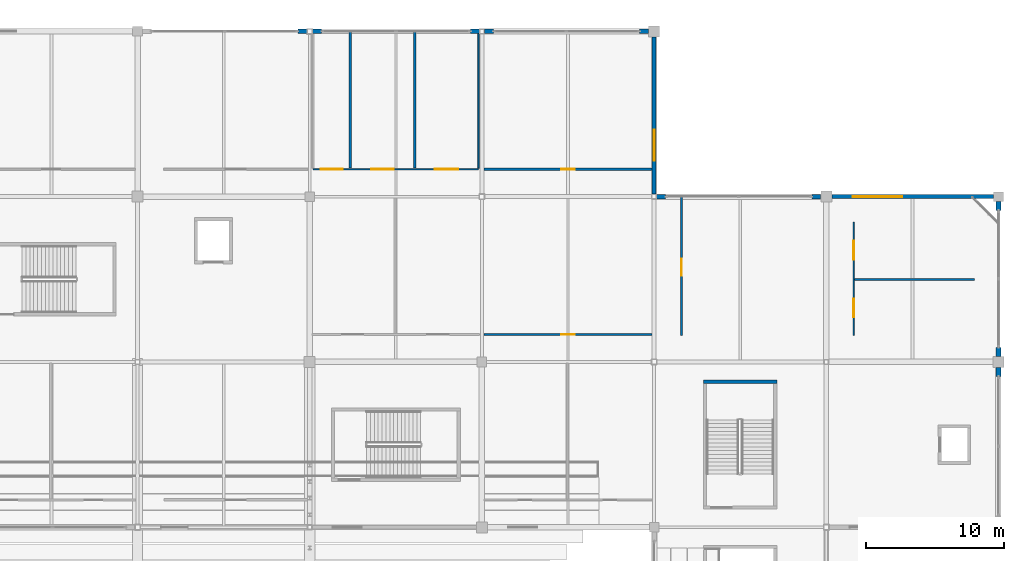
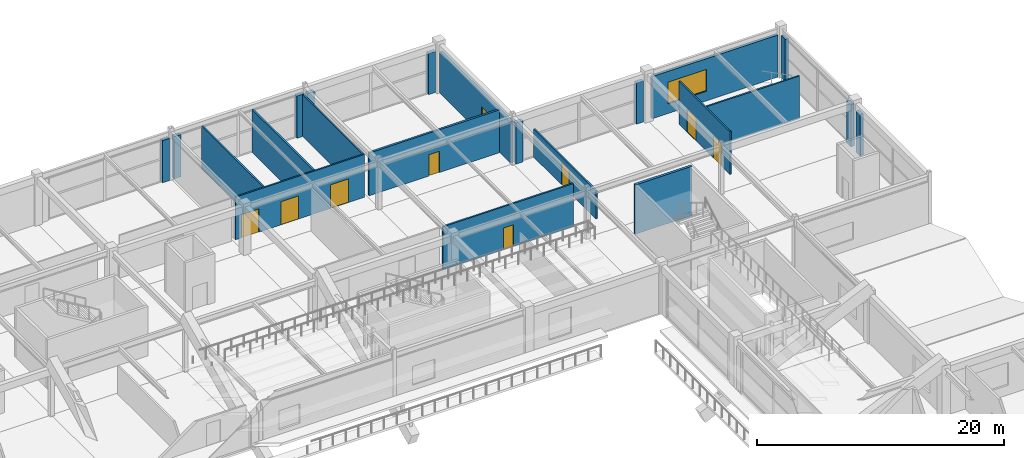
# One storey, part 99 of 128: 22 walls, 8 doors, 2 windows, 10 openings.
"""IFC4 building model written with IfcOpenShell, lengths in metres."""

from ifc_helpers import new_model, si_unit, direction, frame, frame_2d, origin, place, context, subcontext, project, spatial, rectangle, extrude, material, layer, layer_set, type_object, element, fill, save


model = new_model("IFC4")

# Units and contexts
model_context = context("Model", 3, precision=1e-05, world=origin(), true_north=direction((0.0, 1.0)))
body_context = subcontext(model_context, "Body", "Model", "MODEL_VIEW")
ifc_project = project(units=[si_unit("LENGTHUNIT", "METRE"), si_unit("AREAUNIT", "SQUARE_METRE"), si_unit("VOLUMEUNIT", "CUBIC_METRE"), si_unit("PLANEANGLEUNIT", "RADIAN"), si_unit("MASSUNIT", "GRAM", prefix="KILO")], contexts=[model_context])

# Site, building, storey
site_placement = place(None, origin())
site = spatial("IfcSite", under=ifc_project, at=site_placement, CompositionType="ELEMENT")
building_placement = place(site_placement, origin())
building = spatial("IfcBuilding", under=site, at=building_placement, Name="Kazenohara Klinker Stadium", CompositionType="ELEMENT")
storey_placement = place(building_placement, frame((0.0, 0.0, 15.300048828125)))
storey = spatial("IfcBuildingStorey", under=building, at=storey_placement, Name="L03", CompositionType="ELEMENT", Elevation=15.300048828125)

# Wall
ifc_material_1 = material(Name="Concrete C40/50", Category="concrete")
ifc_layer_1 = layer(ifc_material_1, 0.22998046875)
ifc_layer_set_1 = layer_set([ifc_layer_1], Name="Concrete C40/50")
wall_type_1 = type_object("IfcWallType", Name="WAL-CORE-230", PredefinedType="SHEAR", material=ifc_layer_set_1)
wall_1_placement = place(storey_placement, frame((178.590087890625, 142.56494140625, 0.0), z_axis=(0.0, 0.0, 1.0), x_axis=(1.0, 0.0, 0.0)))
element("IfcWall", 1, at=wall_1_placement, inside=storey, type_object=wall_type_1, Name="Stairwell shear wall ST12 L03 North", PredefinedType="SHEAR", context=body_context, shape_type="SweptSolid", body=[
    extrude(rectangle(XDim=5.31982421875, YDim=0.22998046875, at=frame_2d((2.659912109375, 0.0))), origin(), (0.0, 0.0, 1.0), 4.85986328125),
])

# Wall, opening, window
ifc_material_2 = material(Name="Clinker brick masonry", Category="masonry")
ifc_layer_2 = layer(ifc_material_2, 0.280029296875)
ifc_layer_set_2 = layer_set([ifc_layer_2], Name="Clinker brick masonry")
wall_type_2 = type_object("IfcWallType", Name="WAL-EXT-CB280", PredefinedType="SOLIDWALL", material=ifc_layer_set_2)
wall_2_placement = place(storey_placement, frame((175.0, 156.178955078125, 0.0), z_axis=(0.0, 0.0, 1.0), x_axis=(0.0, 1.0, 0.0)))
wall_2 = element("IfcWall", 2, at=wall_2_placement, inside=storey, type_object=wall_type_2, Name="Clinker brick cavity wall EW06 L03 Y14-13", PredefinedType="SOLIDWALL", context=body_context, shape_type="SweptSolid", body=[
    extrude(rectangle(XDim=11.4169921875, YDim=0.280029296875, at=frame_2d((5.70849609375, 0.0))), origin(), (0.0, 0.0, 1.0), 4.06005859375),
])
opening_1_placement = place(wall_2_placement, frame((2.44091796875, 0.0, 0.949951171875)))
opening_1 = element("IfcOpeningElement", 3, at=opening_1_placement, cuts=wall_2, Name="Opening W21", PredefinedType="OPENING", context=body_context, shape_type="SweptSolid", body=[
    extrude(rectangle(XDim=2.25, YDim=1.800048828125, at=frame_2d((1.125, 0.89990234375))), frame((0.0, 0.14990234375, 0.0), z_axis=(0.0, -1.0, 0.0), x_axis=(1.0, 0.0, 0.0)), (0.0, 0.0, 1.0), 0.300048828125),
])
ifc_material_3 = material(Name="Dark bronze aluminium frame and triple glazing", Category="aluminium")
window_type_1 = type_object("IfcWindowType", Name="WIN-AS-21", PartitioningType="SINGLE_PANEL", PredefinedType="WINDOW", material=ifc_material_3)
window_1_placement = place(opening_1_placement, origin())
window_1 = element("IfcWindow", 4, at=window_1_placement, inside=storey, type_object=window_type_1, Name="Horizontal-mullion ladder window W21 L03 Y14-13", OverallHeight=1.800048828125, OverallWidth=2.25, PartitioningType="SINGLE_PANEL", PredefinedType="WINDOW", context=body_context, shape_type="SweptSolid", body=[
    extrude(rectangle(XDim=2.25, YDim=1.800048828125, at=frame_2d((1.125, 0.89990234375))), frame((0.0, 0.030029296875, 0.0), z_axis=(0.0, -1.0, 0.0), x_axis=(1.0, 0.0, 0.0)), (0.0, 0.0, 1.0), 0.06005859375),
])
fill(opening_1, window_1)

wall_3_placement = place(storey_placement, frame((187.904052734375, 156.0, 0.0), z_axis=(0.0, 0.0, 1.0), x_axis=(1.0, 0.0, 0.0)))
wall_3 = element("IfcWall", 5, at=wall_3_placement, inside=storey, type_object=wall_type_2, Name="Clinker brick cavity wall EW06 L03 X15-13", PredefinedType="SOLIDWALL", context=body_context, shape_type="SweptSolid", body=[
    extrude(rectangle(XDim=11.741943359375, YDim=0.280029296875, at=frame_2d((5.87109375, 0.0))), origin(), (0.0, 0.0, 1.0), 4.159912109375),
])
opening_2_placement = place(wall_3_placement, frame((1.5, 0.0, 0.949951171875)))
opening_2 = element("IfcOpeningElement", 6, at=opening_2_placement, cuts=wall_3, Name="Opening W36", PredefinedType="OPENING", context=body_context, shape_type="SweptSolid", body=[
    extrude(rectangle(XDim=3.60009765625, YDim=2.14990234375, at=frame_2d((1.800048828125, 1.074951171875))), frame((0.0, 0.14990234375, 0.0), z_axis=(0.0, -1.0, 0.0), x_axis=(1.0, 0.0, 0.0)), (0.0, 0.0, 1.0), 0.300048828125),
])
window_type_2 = type_object("IfcWindowType", Name="WIN-AS-36", PartitioningType="SINGLE_PANEL", PredefinedType="WINDOW", material=ifc_material_3)
window_2_placement = place(opening_2_placement, origin())
window_2 = element("IfcWindow", 7, at=window_2_placement, inside=storey, type_object=window_type_2, Name="Horizontal-mullion ladder window W36 L03 X15-13", OverallHeight=2.14990234375, OverallWidth=3.60009765625, PartitioningType="SINGLE_PANEL", PredefinedType="WINDOW", context=body_context, shape_type="SweptSolid", body=[
    extrude(rectangle(XDim=3.60009765625, YDim=2.14990234375, at=frame_2d((1.800048828125, 1.074951171875))), frame((0.0, 0.030029296875, 0.0), z_axis=(0.0, -1.0, 0.0), x_axis=(1.0, 0.0, 0.0)), (0.0, 0.0, 1.0), 0.06005859375),
])
fill(opening_2, window_2)

# Walls
ifc_layer_3 = layer(ifc_material_2, 0.340087890625)
ifc_layer_set_3 = layer_set([ifc_layer_3], Name="Clinker brick masonry")
wall_type_3 = type_object("IfcWallType", Name="WAL-EXT-CB340", PredefinedType="SOLIDWALL", material=ifc_layer_set_3)
wall_4_placement = place(storey_placement, frame((149.14599609375, 168.0, 0.0), z_axis=(0.0, 0.0, 1.0), x_axis=(1.0, 0.0, 0.0)))
element("IfcWall", 8, at=wall_4_placement, inside=storey, type_object=wall_type_3, Name="Clinker brick curtain-wall jamb pier L03 X11-14 B", PredefinedType="SOLIDWALL", context=body_context, shape_type="SweptSolid", body=[
    extrude(rectangle(XDim=0.64990234375, YDim=0.340087890625, at=frame_2d((0.324951171875, 0.0))), origin(), (0.0, 0.0, 1.0), 4.159912109375),
])
wall_5_placement = place(storey_placement, frame((150.2041015625, 168.0, 0.0), z_axis=(0.0, 0.0, 1.0), x_axis=(1.0, 0.0, 0.0)))
element("IfcWall", 9, at=wall_5_placement, inside=storey, type_object=wall_type_3, Name="Clinker brick curtain-wall jamb pier L03 X12-14 A", PredefinedType="SOLIDWALL", context=body_context, shape_type="SweptSolid", body=[
    extrude(rectangle(XDim=0.64990234375, YDim=0.340087890625, at=frame_2d((0.324951171875, 0.0))), origin(), (0.0, 0.0, 1.0), 4.171875),
])
wall_6_placement = place(storey_placement, frame((161.6708984375, 168.0, 0.0), z_axis=(0.0, 0.0, 1.0), x_axis=(1.0, 0.0, 0.0)))
element("IfcWall", 10, at=wall_6_placement, inside=storey, type_object=wall_type_3, Name="Clinker brick curtain-wall jamb pier L03 X12-14 B", PredefinedType="SOLIDWALL", context=body_context, shape_type="SweptSolid", body=[
    extrude(rectangle(XDim=0.650146484375, YDim=0.340087890625, at=frame_2d((0.3251953125, 0.0))), origin(), (0.0, 0.0, 1.0), 4.171875),
])
wall_7_placement = place(storey_placement, frame((162.678955078125, 168.0, 0.0), z_axis=(0.0, 0.0, 1.0), x_axis=(1.0, 0.0, 0.0)))
element("IfcWall", 11, at=wall_7_placement, inside=storey, type_object=wall_type_3, Name="Clinker brick curtain-wall jamb pier L03 X13-14 A", PredefinedType="SOLIDWALL", context=body_context, shape_type="SweptSolid", body=[
    extrude(rectangle(XDim=0.650146484375, YDim=0.340087890625, at=frame_2d((0.3251953125, 0.0))), origin(), (0.0, 0.0, 1.0), 4.06005859375),
])
wall_8_placement = place(storey_placement, frame((173.946044921875, 168.0, 0.0), z_axis=(0.0, 0.0, 1.0), x_axis=(1.0, 0.0, 0.0)))
element("IfcWall", 12, at=wall_8_placement, inside=storey, type_object=wall_type_3, Name="Clinker brick curtain-wall jamb pier L03 X13-14 B", PredefinedType="SOLIDWALL", context=body_context, shape_type="SweptSolid", body=[
    extrude(rectangle(XDim=0.64990234375, YDim=0.340087890625, at=frame_2d((0.324951171875, 0.0))), origin(), (0.0, 0.0, 1.0), 4.06005859375),
])
wall_9_placement = place(storey_placement, frame((175.178955078125, 156.0, 0.0), z_axis=(0.0, 0.0, 1.0), x_axis=(1.0, 0.0, 0.0)))
element("IfcWall", 13, at=wall_9_placement, inside=storey, type_object=wall_type_3, Name="Clinker brick curtain-wall jamb pier L03 X14-13 A", PredefinedType="SOLIDWALL", context=body_context, shape_type="SweptSolid", body=[
    extrude(rectangle(XDim=0.650146484375, YDim=0.340087890625, at=frame_2d((0.3251953125, 0.0))), origin(), (0.0, 0.0, 1.0), 4.06005859375),
])
for number, where, z_axis, x_axis, name in (
    (14, (186.446044921875, 156.0, 0.0), (0.0, 0.0, 1.0), (1.0, 0.0, 0.0), "Clinker brick curtain-wall jamb pier L03 X14-13 B"),
    (15, (200.0, 142.946044921875, 0.0), (0.0, 0.0, 1.0), (0.0, 1.0, 0.0), "Clinker brick curtain-wall jamb pier L03 Y16-11 B"),
):
    element("IfcWall", number, at=place(storey_placement, frame(where, z_axis=z_axis, x_axis=x_axis)), inside=storey, type_object=wall_type_3, Name=name, PredefinedType="SOLIDWALL", context=body_context, shape_type="SweptSolid", body=[
        extrude(rectangle(XDim=0.64990234375, YDim=0.340087890625, at=frame_2d((0.324951171875, 0.0))), origin(), (0.0, 0.0, 1.0), 4.06005859375),
    ])
for number, where, z_axis, x_axis, name in (
    (16, (200.0, 144.404052734375, 0.0), (0.0, 0.0, 1.0), (0.0, 1.0, 0.0), "Clinker brick curtain-wall jamb pier L03 Y16-12 A"),
    (17, (200.0, 154.99609375, 0.0), (0.0, 0.0, 1.0), (0.0, 1.0, 0.0), "Clinker brick curtain-wall jamb pier L03 Y16-12 B"),
):
    element("IfcWall", number, at=place(storey_placement, frame(where, z_axis=z_axis, x_axis=x_axis)), inside=storey, type_object=wall_type_3, Name=name, PredefinedType="SOLIDWALL", context=body_context, shape_type="SweptSolid", body=[
        extrude(rectangle(XDim=0.64990234375, YDim=0.340087890625, at=frame_2d((0.324951171875, 0.0))), origin(), (0.0, 0.0, 1.0), 4.159912109375),
    ])
ifc_material_4 = material(Name="Fire-rated gypsum board on acoustic studs", Category="gypsum")
ifc_layer_4 = layer(ifc_material_4, 0.1201171875)
ifc_layer_set_4 = layer_set([ifc_layer_4], Name="Fire-rated gypsum board on acoustic studs")
wall_type_4 = type_object("IfcWallType", Name="WAL-INT-P120", PredefinedType="PARTITIONING", material=ifc_layer_set_4)
wall_10_placement = place(storey_placement, frame((162.260009765625, 158.06494140625, 0.0), z_axis=(0.0, 0.0, 1.0), x_axis=(0.0, 1.0, 0.0)))
element("IfcWall", 18, at=wall_10_placement, inside=storey, type_object=wall_type_4, Name="Interior partition wall PT02 SPC-L03-12-13-1-2", PredefinedType="PARTITIONING", context=body_context, shape_type="SweptSolid", body=[
    extrude(rectangle(XDim=9.762939453125, YDim=0.1201171875, at=frame_2d((4.88134765625, 0.0))), origin(), (0.0, 0.0, 1.0), 4.1318359375),
])

# Wall, openings, doors
ifc_layer_5 = layer(ifc_material_4, 0.139892578125)
ifc_layer_set_5 = layer_set([ifc_layer_5], Name="Fire-rated gypsum board on acoustic studs")
wall_type_5 = type_object("IfcWallType", Name="WAL-INT-P140", PredefinedType="PARTITIONING", material=ifc_layer_set_5)
wall_11_placement = place(storey_placement, frame((150.239990234375, 157.989990234375, 0.0), z_axis=(0.0, 0.0, 1.0), x_axis=(1.0, 0.0, 0.0)))
wall_11 = element("IfcWall", 19, at=wall_11_placement, inside=storey, type_object=wall_type_5, Name="Interior partition wall PT03 SPC-L03-12-13-1-3", PredefinedType="PARTITIONING", context=body_context, shape_type="SweptSolid", body=[
    extrude(rectangle(XDim=12.02001953125, YDim=0.139892578125, at=frame_2d((6.010009765625, 0.0))), origin(), (0.0, 0.0, 1.0), 4.219970703125),
])
opening_3_placement = place(wall_11_placement, frame((0.560302734375, 0.0, 0.0)))
opening_3 = element("IfcOpeningElement", 20, at=opening_3_placement, cuts=wall_11, Name="Opening ID23", PredefinedType="OPENING", context=body_context, shape_type="SweptSolid", body=[
    extrude(rectangle(XDim=1.60009765625, YDim=2.300048828125, at=frame_2d((0.800048828125, 1.14990234375))), frame((0.0, 0.080078125, 0.0), z_axis=(0.0, -1.0, 0.0), x_axis=(1.0, 0.0, 0.0)), (0.0, 0.0, 1.0), 0.159912109375),
])
opening_4_placement = place(wall_11_placement, frame((4.22021484375, 0.0, 0.0)))
opening_4 = element("IfcOpeningElement", 21, at=opening_4_placement, cuts=wall_11, Name="Opening ID24", PredefinedType="OPENING", context=body_context, shape_type="SweptSolid", body=[
    extrude(rectangle(XDim=1.64990234375, YDim=2.280029296875, at=frame_2d((0.824951171875, 1.14013671875))), frame((0.0, 0.080078125, 0.0), z_axis=(0.0, -1.0, 0.0), x_axis=(1.0, 0.0, 0.0)), (0.0, 0.0, 1.0), 0.159912109375),
])
opening_5_placement = place(wall_11_placement, frame((8.84521484375, 0.0, 0.0)))
opening_5 = element("IfcOpeningElement", 22, at=opening_5_placement, cuts=wall_11, Name="Opening ID25", PredefinedType="OPENING", context=body_context, shape_type="SweptSolid", body=[
    extrude(rectangle(XDim=1.699951171875, YDim=2.320068359375, at=frame_2d((0.85009765625, 1.16015625))), frame((0.0, 0.080078125, 0.0), z_axis=(0.0, -1.0, 0.0), x_axis=(1.0, 0.0, 0.0)), (0.0, 0.0, 1.0), 0.159912109375),
])
ifc_material_5 = material(Name="Painted steel plant fire door", Category="steel")
door_type_1 = type_object("IfcDoorType", Name="DR-INT-23", OperationType="NOTDEFINED", PredefinedType="DOOR", material=ifc_material_5)
door_1_placement = place(opening_3_placement, origin())
door_1 = element("IfcDoor", 23, at=door_1_placement, inside=storey, type_object=door_type_1, Name="Interior door ID23 Accessible Water Closet Restroom L03-1213A", OperationType="SINGLE_SWING_RIGHT", OverallHeight=2.300048828125, OverallWidth=1.60009765625, PredefinedType="DOOR", context=body_context, shape_type="SweptSolid", body=[
    extrude(rectangle(XDim=1.60009765625, YDim=2.300048828125, at=frame_2d((0.800048828125, 1.14990234375))), frame((0.0, 0.02490234375, 0.0), z_axis=(0.0, -1.0, 0.0), x_axis=(1.0, 0.0, 0.0)), (0.0, 0.0, 1.0), 0.050048828125),
])
fill(opening_3, door_1)
door_type_2 = type_object("IfcDoorType", Name="DR-INT-24", OperationType="NOTDEFINED", PredefinedType="DOOR", material=ifc_material_5)
door_2_placement = place(opening_4_placement, origin())
door_2 = element("IfcDoor", 24, at=door_2_placement, inside=storey, type_object=door_type_2, Name="Interior door ID24 Water Closet Restroom Male L03-1213B", OperationType="SINGLE_SWING_LEFT", OverallHeight=2.280029296875, OverallWidth=1.64990234375, PredefinedType="DOOR", context=body_context, shape_type="SweptSolid", body=[
    extrude(rectangle(XDim=1.64990234375, YDim=2.280029296875, at=frame_2d((0.824951171875, 1.14013671875))), frame((0.0, 0.02490234375, 0.0), z_axis=(0.0, -1.0, 0.0), x_axis=(1.0, 0.0, 0.0)), (0.0, 0.0, 1.0), 0.050048828125),
])
fill(opening_4, door_2)
door_type_3 = type_object("IfcDoorType", Name="DR-INT-25", OperationType="NOTDEFINED", PredefinedType="DOOR", material=ifc_material_5)
door_3_placement = place(opening_5_placement, origin())
door_3 = element("IfcDoor", 25, at=door_3_placement, inside=storey, type_object=door_type_3, Name="Interior door ID25 Water Closet Restroom Female L03-1213C", OperationType="SINGLE_SWING_RIGHT", OverallHeight=2.320068359375, OverallWidth=1.699951171875, PredefinedType="DOOR", context=body_context, shape_type="SweptSolid", body=[
    extrude(rectangle(XDim=1.699951171875, YDim=2.320068359375, at=frame_2d((0.85009765625, 1.16015625))), frame((0.0, 0.02490234375, 0.0), z_axis=(0.0, -1.0, 0.0), x_axis=(1.0, 0.0, 0.0)), (0.0, 0.0, 1.0), 0.050048828125),
])
fill(opening_5, door_3)

wall_12_placement = place(storey_placement, frame((189.489990234375, 145.919921875, 0.0), z_axis=(0.0, 0.0, 1.0), x_axis=(0.0, 1.0, 0.0)))
wall_12 = element("IfcWall", 26, at=wall_12_placement, inside=storey, type_object=wall_type_5, Name="Interior partition wall PT03 SPC-L03-15-12-1-1", PredefinedType="PARTITIONING", context=body_context, shape_type="SweptSolid", body=[
    extrude(rectangle(XDim=8.22998046875, YDim=0.139892578125, at=frame_2d((4.114990234375, 0.0))), origin(), (0.0, 0.0, 1.0), 4.219970703125),
])
opening_6_placement = place(wall_12_placement, frame((2.677001953125, 0.0, 0.0), z_axis=(0.0, 0.0, 1.0), x_axis=(-1.0, 0.0, 0.0)))
opening_6 = element("IfcOpeningElement", 27, at=opening_6_placement, cuts=wall_12, Name="Opening ID17", PredefinedType="OPENING", context=body_context, shape_type="SweptSolid", body=[
    extrude(rectangle(XDim=1.360107421875, YDim=2.25, at=frame_2d((0.68017578125, 1.125))), frame((0.0, 0.080078125, 0.0), z_axis=(0.0, -1.0, 0.0), x_axis=(1.0, 0.0, 0.0)), (0.0, 0.0, 1.0), 0.159912109375),
])
opening_7_placement = place(wall_12_placement, frame((6.891845703125, 0.0, 0.0), z_axis=(0.0, 0.0, 1.0), x_axis=(-1.0, 0.0, 0.0)))
opening_7 = element("IfcOpeningElement", 28, at=opening_7_placement, cuts=wall_12, Name="Opening ID18", PredefinedType="OPENING", context=body_context, shape_type="SweptSolid", body=[
    extrude(rectangle(XDim=1.39990234375, YDim=2.239990234375, at=frame_2d((0.699951171875, 1.1201171875))), frame((0.0, 0.080078125, 0.0), z_axis=(0.0, -1.0, 0.0), x_axis=(1.0, 0.0, 0.0)), (0.0, 0.0, 1.0), 0.159912109375),
])
ifc_material_6 = material(Name="Solid-core Hokkaido oak fire door", Category="wood")
door_type_4 = type_object("IfcDoorType", Name="DR-INT-17", OperationType="NOTDEFINED", PredefinedType="DOOR", material=ifc_material_6)
door_4_placement = place(opening_6_placement, origin())
door_4 = element("IfcDoor", 29, at=door_4_placement, inside=storey, type_object=door_type_4, Name="Interior door ID17 Upper Stand First-Aid Medical Clinic L03-1512A", OperationType="SINGLE_SWING_RIGHT", OverallHeight=2.25, OverallWidth=1.360107421875, PredefinedType="DOOR", context=body_context, shape_type="SweptSolid", body=[
    extrude(rectangle(XDim=1.360107421875, YDim=2.25, at=frame_2d((0.68017578125, 1.125))), frame((0.0, 0.02490234375, 0.0), z_axis=(0.0, -1.0, 0.0), x_axis=(1.0, 0.0, 0.0)), (0.0, 0.0, 1.0), 0.050048828125),
])
fill(opening_6, door_4)
door_type_5 = type_object("IfcDoorType", Name="DR-INT-18", OperationType="NOTDEFINED", PredefinedType="DOOR", material=ifc_material_6)
door_5_placement = place(opening_7_placement, origin())
door_5 = element("IfcDoor", 30, at=door_5_placement, inside=storey, type_object=door_type_5, Name="Interior door ID18 East Panorama Concourse Dining Court L03-1512B", OperationType="SINGLE_SWING_LEFT", OverallHeight=2.239990234375, OverallWidth=1.39990234375, PredefinedType="DOOR", context=body_context, shape_type="SweptSolid", body=[
    extrude(rectangle(XDim=1.39990234375, YDim=2.239990234375, at=frame_2d((0.699951171875, 1.1201171875))), frame((0.0, 0.02490234375, 0.0), z_axis=(0.0, -1.0, 0.0), x_axis=(1.0, 0.0, 0.0)), (0.0, 0.0, 1.0), 0.050048828125),
])
fill(opening_7, door_5)

# Wall
ifc_layer_6 = layer(ifc_material_4, 0.14990234375)
ifc_layer_set_6 = layer_set([ifc_layer_6], Name="Fire-rated gypsum board on acoustic studs")
wall_type_6 = type_object("IfcWallType", Name="WAL-INT-P150", PredefinedType="PARTITIONING", material=ifc_layer_set_6)
wall_13_placement = place(storey_placement, frame((152.9404296875, 158.06494140625, 0.0), z_axis=(0.0, 0.0, 1.0), x_axis=(0.0, 1.0, 0.0)))
element("IfcWall", 31, at=wall_13_placement, inside=storey, type_object=wall_type_6, Name="Interior partition wall PT04 SPC-L03-12-13-1-4", PredefinedType="PARTITIONING", context=body_context, shape_type="SweptSolid", body=[
    extrude(rectangle(XDim=9.9111328125, YDim=0.14990234375, at=frame_2d((4.95556640625, 0.0))), origin(), (0.0, 0.0, 1.0), 4.219970703125),
])

# Wall, opening, door
wall_14_placement = place(storey_placement, frame((162.659912109375, 145.989990234375, 0.0), z_axis=(0.0, 0.0, 1.0), x_axis=(1.0, 0.0, 0.0)))
wall_14 = element("IfcWall", 32, at=wall_14_placement, inside=storey, type_object=wall_type_6, Name="Interior partition wall PT04 SPC-L03-13-12-1-1", PredefinedType="PARTITIONING", context=body_context, shape_type="SweptSolid", body=[
    extrude(rectangle(XDim=12.18017578125, YDim=0.14990234375, at=frame_2d((6.090087890625, 0.0))), origin(), (0.0, 0.0, 1.0), 4.219970703125),
])
opening_8_placement = place(wall_14_placement, frame((5.614990234375, 0.0, 0.0)))
opening_8 = element("IfcOpeningElement", 33, at=opening_8_placement, cuts=wall_14, Name="Opening ID03", PredefinedType="OPENING", context=body_context, shape_type="SweptSolid", body=[
    extrude(rectangle(XDim=0.949951171875, YDim=2.1201171875, at=frame_2d((0.47509765625, 1.06005859375))), frame((0.0, 0.0849609375, 0.0), z_axis=(0.0, -1.0, 0.0), x_axis=(1.0, 0.0, 0.0)), (0.0, 0.0, 1.0), 0.169921875),
])
door_type_6 = type_object("IfcDoorType", Name="DR-INT-03", OperationType="NOTDEFINED", PredefinedType="DOOR", material=ifc_material_6)
door_6_placement = place(opening_8_placement, origin())
door_6 = element("IfcDoor", 34, at=door_6_placement, inside=storey, type_object=door_type_6, Name="Interior door ID03 East Panorama Concourse Dining Court L03-1312A", OperationType="SINGLE_SWING_RIGHT", OverallHeight=2.1201171875, OverallWidth=0.949951171875, PredefinedType="DOOR", context=body_context, shape_type="SweptSolid", body=[
    extrude(rectangle(XDim=0.949951171875, YDim=2.1201171875, at=frame_2d((0.47509765625, 1.06005859375))), frame((0.0, 0.02490234375, 0.0), z_axis=(0.0, -1.0, 0.0), x_axis=(1.0, 0.0, 0.0)), (0.0, 0.0, 1.0), 0.050048828125),
])
fill(opening_8, door_6)

wall_15_placement = place(storey_placement, frame((176.989990234375, 145.919921875, 0.0), z_axis=(0.0, 0.0, 1.0), x_axis=(0.0, 1.0, 0.0)))
wall_15 = element("IfcWall", 35, at=wall_15_placement, inside=storey, type_object=wall_type_6, Name="Interior partition wall PT04 SPC-L03-14-12-1-1", PredefinedType="PARTITIONING", context=body_context, shape_type="SweptSolid", body=[
    extrude(rectangle(XDim=10.05615234375, YDim=0.14990234375, at=frame_2d((5.028076171875, 0.0))), origin(), (0.0, 0.0, 1.0), 2.77001953125),
])
opening_9_placement = place(wall_15_placement, frame((5.56494140625, 0.0, 0.0), z_axis=(0.0, 0.0, 1.0), x_axis=(-1.0, 0.0, 0.0)))
opening_9 = element("IfcOpeningElement", 36, at=opening_9_placement, cuts=wall_15, Name="Opening ID12", PredefinedType="OPENING", context=body_context, shape_type="SweptSolid", body=[
    extrude(rectangle(XDim=1.2099609375, YDim=2.179931640625, at=frame_2d((0.60498046875, 1.08984375))), frame((0.0, 0.0849609375, 0.0), z_axis=(0.0, -1.0, 0.0), x_axis=(1.0, 0.0, 0.0)), (0.0, 0.0, 1.0), 0.169921875),
])
door_type_7 = type_object("IfcDoorType", Name="DR-INT-12", OperationType="NOTDEFINED", PredefinedType="DOOR", material=ifc_material_6)
door_7_placement = place(opening_9_placement, origin())
door_7 = element("IfcDoor", 37, at=door_7_placement, inside=storey, type_object=door_type_7, Name="Interior door ID12 East Panorama Concourse Dining Court L03-1412A", OperationType="SINGLE_SWING_LEFT", OverallHeight=2.179931640625, OverallWidth=1.2099609375, PredefinedType="DOOR", context=body_context, shape_type="SweptSolid", body=[
    extrude(rectangle(XDim=1.2099609375, YDim=2.179931640625, at=frame_2d((0.60498046875, 1.08984375))), frame((0.0, 0.02490234375, 0.0), z_axis=(0.0, -1.0, 0.0), x_axis=(1.0, 0.0, 0.0)), (0.0, 0.0, 1.0), 0.050048828125),
])
fill(opening_9, door_7)

# Walls
wall_16_placement = place(storey_placement, frame((189.56494140625, 149.993896484375, 0.0), z_axis=(0.0, 0.0, 1.0), x_axis=(1.0, 0.0, 0.0)))
element("IfcWall", 38, at=wall_16_placement, inside=storey, type_object=wall_type_6, Name="Interior partition wall PT04 SPC-L03-15-12-1-2", PredefinedType="PARTITIONING", context=body_context, shape_type="SweptSolid", body=[
    extrude(rectangle(XDim=8.68505859375, YDim=0.14990234375, at=frame_2d((4.342529296875, 0.0))), origin(), (0.0, 0.0, 1.0), 4.219970703125),
])
ifc_layer_7 = layer(ifc_material_4, 0.169921875)
ifc_layer_set_7 = layer_set([ifc_layer_7], Name="Fire-rated gypsum board on acoustic studs")
wall_type_7 = type_object("IfcWallType", Name="WAL-INT-P170", PredefinedType="PARTITIONING", material=ifc_layer_set_7)
wall_17_placement = place(storey_placement, frame((157.630126953125, 158.06494140625, 0.0), z_axis=(0.0, 0.0, 1.0), x_axis=(0.0, 1.0, 0.0)))
element("IfcWall", 39, at=wall_17_placement, inside=storey, type_object=wall_type_7, Name="Interior partition wall PT05 SPC-L03-12-13-1-5", PredefinedType="PARTITIONING", context=body_context, shape_type="SweptSolid", body=[
    extrude(rectangle(XDim=9.9111328125, YDim=0.169921875, at=frame_2d((4.95556640625, 0.0))), origin(), (0.0, 0.0, 1.0), 4.219970703125),
])

# Wall, opening, door
ifc_layer_8 = layer(ifc_material_4, 0.18994140625)
ifc_layer_set_8 = layer_set([ifc_layer_8], Name="Fire-rated gypsum board on acoustic studs")
wall_type_8 = type_object("IfcWallType", Name="WAL-INT-P190", PredefinedType="PARTITIONING", material=ifc_layer_set_8)
wall_18_placement = place(storey_placement, frame((162.659912109375, 157.989990234375, 0.0), z_axis=(0.0, 0.0, 1.0), x_axis=(1.0, 0.0, 0.0)))
wall_18 = element("IfcWall", 40, at=wall_18_placement, inside=storey, type_object=wall_type_8, Name="Interior partition wall PT06 SPC-L03-13-13-1-1", PredefinedType="PARTITIONING", context=body_context, shape_type="SweptSolid", body=[
    extrude(rectangle(XDim=12.197998046875, YDim=0.18994140625, at=frame_2d((6.09912109375, 0.0))), origin(), (0.0, 0.0, 1.0), 4.219970703125),
])
opening_10_placement = place(wall_18_placement, frame((5.60009765625, 0.0, 0.0)))
opening_10 = element("IfcOpeningElement", 41, at=opening_10_placement, cuts=wall_18, Name="Opening ID04", PredefinedType="OPENING", context=body_context, shape_type="SweptSolid", body=[
    extrude(rectangle(XDim=0.97998046875, YDim=2.10009765625, at=frame_2d((0.489990234375, 1.050048828125))), frame((0.0, 0.10498046875, 0.0), z_axis=(0.0, -1.0, 0.0), x_axis=(1.0, 0.0, 0.0)), (0.0, 0.0, 1.0), 0.2099609375),
])
door_type_8 = type_object("IfcDoorType", Name="DR-INT-04", OperationType="NOTDEFINED", PredefinedType="DOOR", material=ifc_material_6)
door_8_placement = place(opening_10_placement, origin())
door_8 = element("IfcDoor", 42, at=door_8_placement, inside=storey, type_object=door_type_8, Name="Interior door ID04 Upper Concourse Hot Beverage Bistro L03-1313A", OperationType="SINGLE_SWING_LEFT", OverallHeight=2.10009765625, OverallWidth=0.97998046875, PredefinedType="DOOR", context=body_context, shape_type="SweptSolid", body=[
    extrude(rectangle(XDim=0.97998046875, YDim=2.10009765625, at=frame_2d((0.489990234375, 1.050048828125))), frame((0.0, 0.02490234375, 0.0), z_axis=(0.0, -1.0, 0.0), x_axis=(1.0, 0.0, 0.0)), (0.0, 0.0, 1.0), 0.050048828125),
])
fill(opening_10, door_8)

save(model, "model.ifc")
